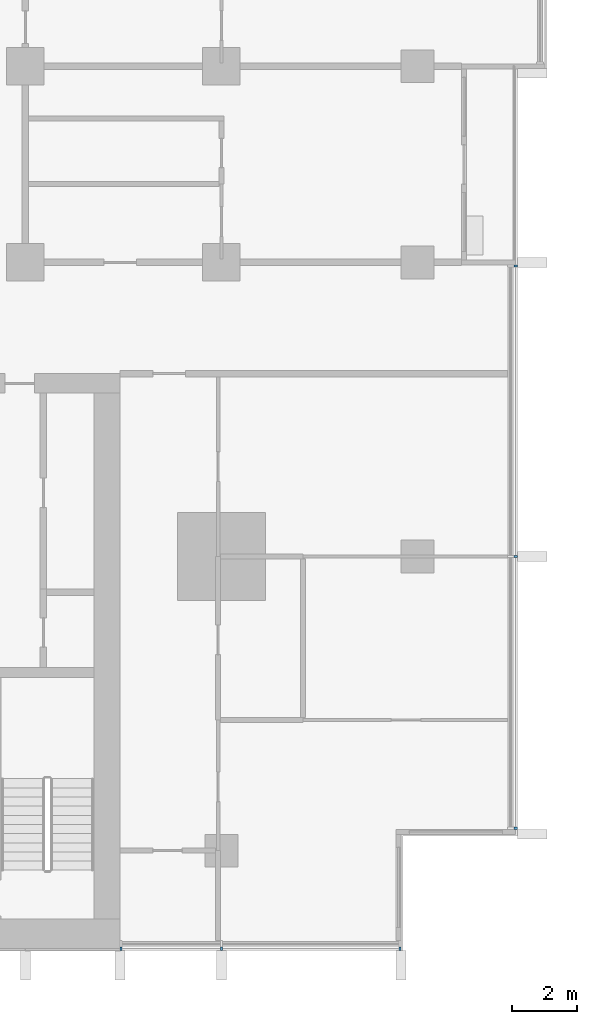
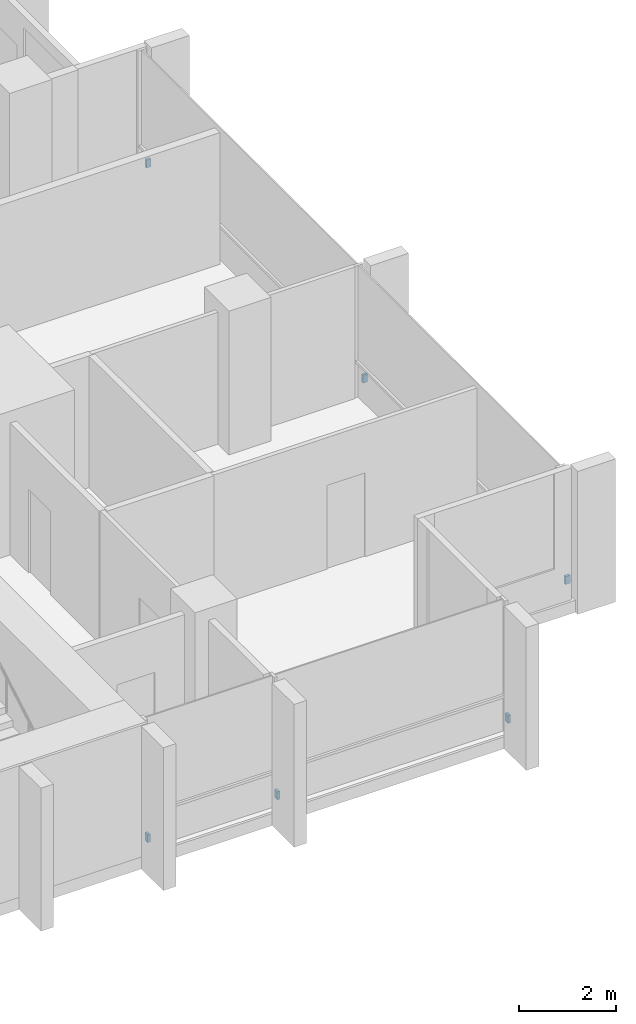
# One storey, part 14 of 17: 6 discrete accessories.
"""IFC4 building model written with IfcOpenShell, lengths in metres."""

from ifc_helpers import new_model, si_unit, direction, frame, origin, origin_2d, place, context, subcontext, project, spatial, rectangle, extrude, material, type_object, element, save


model = new_model("IFC4")

# Units and contexts
model_context = context("Model", 3, precision=1e-05, world=origin(), true_north=direction((0.0, 1.0)))
body_context = subcontext(model_context, "Body", "Model", "MODEL_VIEW")
ifc_project = project(units=[si_unit("LENGTHUNIT", "METRE"), si_unit("AREAUNIT", "SQUARE_METRE"), si_unit("VOLUMEUNIT", "CUBIC_METRE"), si_unit("PLANEANGLEUNIT", "RADIAN"), si_unit("MASSUNIT", "GRAM", prefix="KILO")], contexts=[model_context])

# Site, building, storey
site_placement = place(None, origin())
site = spatial("IfcSite", under=ifc_project, at=site_placement, CompositionType="ELEMENT")
building_placement = place(site_placement, origin())
building = spatial("IfcBuilding", under=site, at=building_placement, Name="Finial Court Residences", CompositionType="ELEMENT")
storey_placement = place(building_placement, frame((0.0, 0.0, 120.699951171875)))
storey = spatial("IfcBuildingStorey", under=building, at=storey_placement, Name="L30", CompositionType="ELEMENT", Elevation=120.699951171875)

# Discrete accessories
ifc_material = material(Name="Stainless steel 316", Category="steel")
discrete_accessory_type = type_object("IfcDiscreteAccessoryType", Name="Fin bracket, stainless steel 65 x 110 x 200", PredefinedType="BRACKET", material=ifc_material)
for number, where, z_axis, x_axis, name in (
    (1, (25.5048828125, -21.8173828125, 0.30029296875), (0.0, 0.0, 1.0), (1.0, 0.0, 0.0), "E-L30-FIN-E9-BRK"),
    (2, (25.5048828125, -13.5, 0.30029296875), (0.0, 0.0, 1.0), (1.0, 0.0, 0.0), "E-L30-FIN-E10-BRK"),
    (3, (25.5048828125, -4.607421875, 0.30029296875), (0.0, 0.0, 1.0), (1.0, 0.0, 0.0), "E-L30-FIN-E11-BRK"),
):
    element("IfcDiscreteAccessory", number, at=place(storey_placement, frame(where, z_axis=z_axis, x_axis=x_axis)), inside=storey, type_object=discrete_accessory_type, Name=name, PredefinedType="BRACKET", context=body_context, shape_type="SweptSolid", body=[
        extrude(rectangle(XDim=0.110107421875, YDim=0.06494140625, at=origin_2d()), origin(), (0.0, 0.0, 1.0), 0.199951171875),
    ])
for number, where, z_axis, x_axis, name in (
    (4, (13.4326171875, -25.5048828125, 0.30029296875), (0.0, 0.0, 1.0), (1.0, 0.0, 0.0), "E-L30-FIN-S23-BRK"),
    (5, (16.5, -25.5048828125, 0.30029296875), (0.0, 0.0, 1.0), (1.0, 0.0, 0.0), "E-L30-FIN-S24-BRK"),
    (6, (21.967529296875, -25.5048828125, 0.30029296875), (0.0, 0.0, 1.0), (1.0, 0.0, 0.0), "E-L30-FIN-S25-BRK"),
):
    element("IfcDiscreteAccessory", number, at=place(storey_placement, frame(where, z_axis=z_axis, x_axis=x_axis)), inside=storey, type_object=discrete_accessory_type, Name=name, PredefinedType="BRACKET", context=body_context, shape_type="SweptSolid", body=[
        extrude(rectangle(XDim=0.06494140625, YDim=0.110107421875, at=origin_2d()), origin(), (0.0, 0.0, 1.0), 0.199951171875),
    ])

save(model, "model.ifc")
